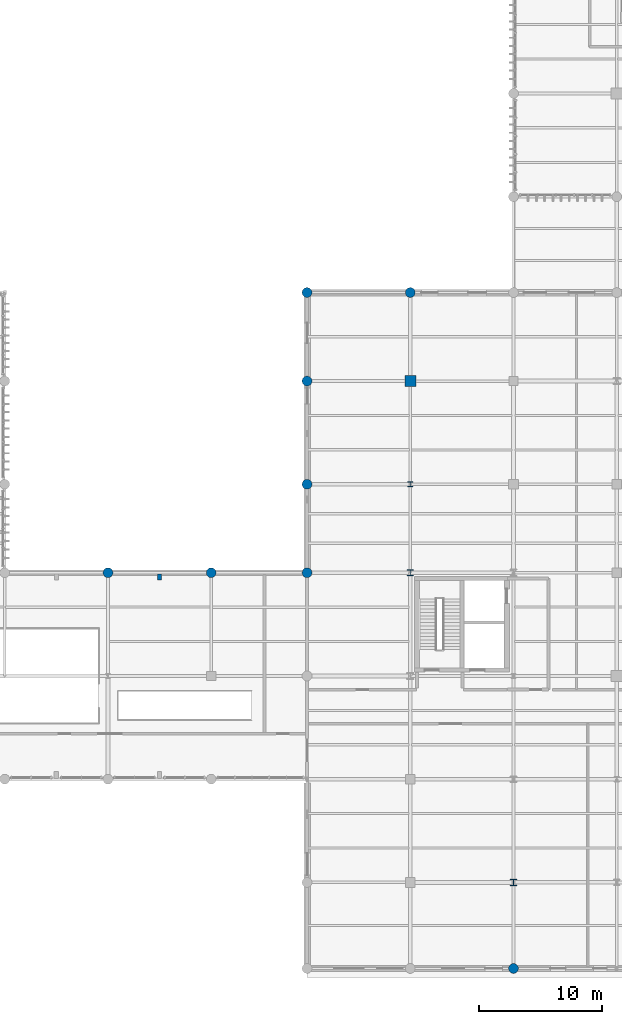
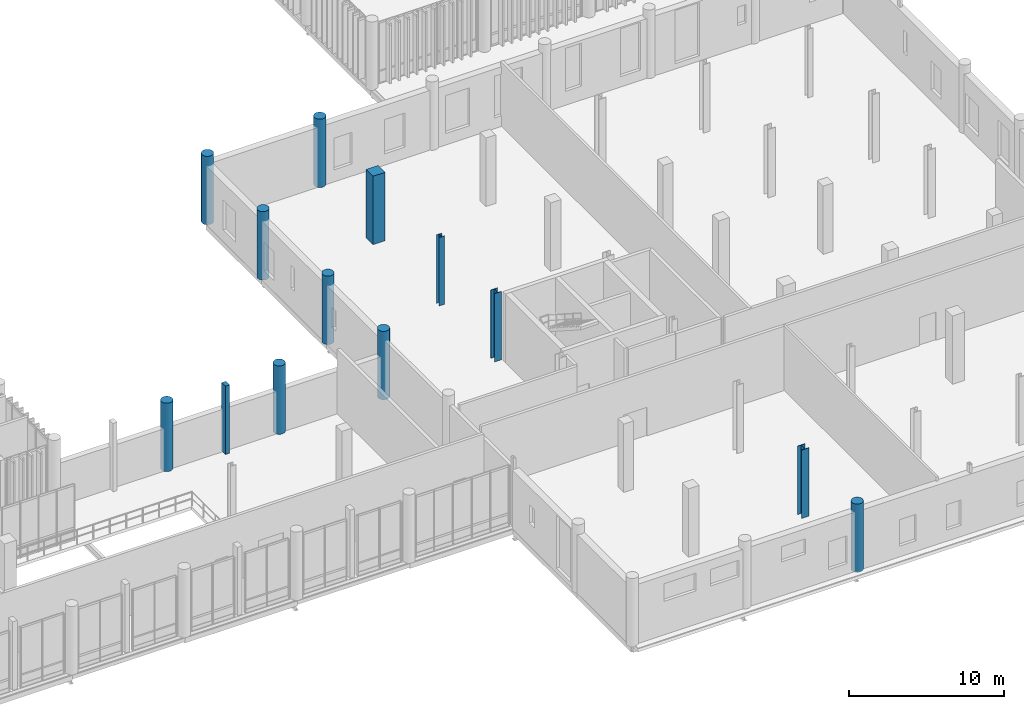
# One storey, part 9 of 128: 13 columns.
"""IFC4 building model written with IfcOpenShell, lengths in metres."""

from ifc_helpers import new_model, si_unit, direction, frame, origin_with_axes, origin_2d_with_axis, place, context, subcontext, project, spatial, rectangle, circle, i_section, extrude, material, material_profile, profile_set, type_object, element, save


model = new_model("IFC4")

# Units and contexts
model_context = context("Model", 3, precision=1e-05, world=origin_with_axes(), true_north=direction((0.0, 1.0)))
body_context = subcontext(model_context, "Body", "Model", "MODEL_VIEW")
ifc_project = project(units=[si_unit("LENGTHUNIT", "METRE"), si_unit("AREAUNIT", "SQUARE_METRE"), si_unit("VOLUMEUNIT", "CUBIC_METRE"), si_unit("PLANEANGLEUNIT", "RADIAN"), si_unit("MASSUNIT", "GRAM", prefix="KILO"), si_unit("THERMODYNAMICTEMPERATUREUNIT", "KELVIN")], contexts=[model_context])

# Site, building, storey
site_placement = place(None, origin_with_axes())
site = spatial("IfcSite", under=ifc_project, at=site_placement, CompositionType="ELEMENT")
building_placement = place(site_placement, origin_with_axes())
building = spatial("IfcBuilding", under=site, at=building_placement, Name="Montbau Bow Law Courts", CompositionType="ELEMENT")
storey_placement = place(building_placement, frame((0.0, 0.0, 5.4), z_axis=(0.0, 0.0, 1.0), x_axis=(1.0, 0.0, 0.0)))
storey = spatial("IfcBuildingStorey", under=building, at=storey_placement, Name="L01", CompositionType="ELEMENT", Elevation=5.4)

# Columns
ifc_material_1 = material(Name="Concrete CSA A23.1 f'c 40 MPa", Category="concrete")
ifc_material_profile_1 = material_profile(ifc_material_1, rectangle(XDim=0.32, YDim=0.48, at=origin_2d_with_axis()), Name="RC480X320", Category="Main", Priority=0)
ifc_profile_set_1 = profile_set([ifc_material_profile_1], Name="Concrete CSA A23.1 f'c 40 MPa")
column_type_1 = type_object("IfcColumnType", Name="C-PIL-02", PredefinedType="PILASTER", material=ifc_profile_set_1)
column_1_placement = place(None, frame((109.8, 38.65, 5.4), z_axis=(0.0, 0.0, 1.0), x_axis=(1.0, 0.0, 0.0)))
element("IfcColumn", 1, at=column_1_placement, inside=storey, type_object=column_type_1, Name="PL-L01-S16:pil2_0048", PredefinedType="PILASTER", context=body_context, shape_type="SweptSolid", body=[
    extrude(rectangle(XDim=0.32, YDim=0.48, at=origin_2d_with_axis()), origin_with_axes(), (0.0, 0.0, 1.0), 5.4),
])
ifc_material_2 = material(Name="Concrete CSA A23.1 f'c 45 MPa", Category="concrete")
ifc_material_profile_2 = material_profile(ifc_material_2, rectangle(XDim=0.9, YDim=0.9, at=origin_2d_with_axis()), Name="RC900X900", Category="Main", Priority=0)
ifc_profile_set_2 = profile_set([ifc_material_profile_2], Name="Concrete CSA A23.1 f'c 45 MPa")
column_type_2 = type_object("IfcColumnType", Name="C-RC-01", PredefinedType="COLUMN", material=ifc_profile_set_2)
column_2_placement = place(None, frame((130.2, 54.6, 5.4), z_axis=(0.0, 0.0, 1.0), x_axis=(1.0, 0.0, 0.0)))
element("IfcColumn", 2, at=column_2_placement, inside=storey, type_object=column_type_2, Name="C-L01-S0453:col2_0453", PredefinedType="COLUMN", context=body_context, shape_type="SweptSolid", body=[
    extrude(rectangle(XDim=0.9, YDim=0.9, at=origin_2d_with_axis()), origin_with_axes(), (0.0, 0.0, 1.0), 5.4),
])
ifc_material_profile_3 = material_profile(ifc_material_1, circle(Radius=0.4, at=origin_2d_with_axis()), Name="RC800D", Category="Main", Priority=0)
ifc_profile_set_3 = profile_set([ifc_material_profile_3], Name="Concrete CSA A23.1 f'c 40 MPa")
column_type_3 = type_object("IfcColumnType", Name="C-RC-07", PredefinedType="COLUMN", material=ifc_profile_set_3)
for number, where, z_axis, x_axis, name in (
    (3, (105.6, 39.0, 5.4), (0.0, 0.0, 1.0), (1.0, 0.0, 0.0), "C-L01-S0435:col2_0435"),
    (4, (114.0, 39.0, 5.4), (0.0, 0.0, 1.0), (1.0, 0.0, 0.0), "C-L01-S0438:col2_0438"),
    (5, (121.8, 39.0, 5.4), (0.0, 0.0, 1.0), (1.0, 0.0, 0.0), "C-L01-S0443:col2_0443"),
    (6, (121.8, 46.2, 5.4), (0.0, 0.0, 1.0), (1.0, 0.0, 0.0), "C-L01-S0444:col2_0444"),
    (7, (121.8, 54.6, 5.4), (0.0, 0.0, 1.0), (1.0, 0.0, 0.0), "C-L01-S0445:col2_0445"),
    (8, (121.8, 61.8, 5.4), (0.0, 0.0, 1.0), (1.0, 0.0, 0.0), "C-L01-S0446:col2_0446"),
    (9, (130.2, 61.8, 5.4), (0.0, 0.0, 1.0), (1.0, 0.0, 0.0), "C-L01-S0454:col2_0454"),
    (10, (138.6, 6.8, 5.4), (0.0, 0.0, 1.0), (1.0, 0.0, 0.0), "C-L01-S0455:col2_0455"),
):
    element("IfcColumn", number, at=place(None, frame(where, z_axis=z_axis, x_axis=x_axis)), inside=storey, type_object=column_type_3, Name=name, PredefinedType="COLUMN", context=body_context, shape_type="SweptSolid", body=[
        extrude(circle(Radius=0.4, at=origin_2d_with_axis()), origin_with_axes(), (0.0, 0.0, 1.0), 5.4),
    ])
ifc_material_3 = material(Name="Steel CSA G40.21 Grade 350W (350 MPa)", Category="steel")
ifc_material_profile_4 = material_profile(ifc_material_3, i_section(OverallWidth=0.55, OverallDepth=0.55, WebThickness=0.025, FlangeThickness=0.042, at=origin_2d_with_axis()), Name="WWF550X420", Category="Main", Priority=0)
ifc_profile_set_4 = profile_set([ifc_material_profile_4], Name="Steel CSA G40.21 Grade 350W (350 MPa)")
column_type_4 = type_object("IfcColumnType", Name="C-STL-01", PredefinedType="COLUMN", material=ifc_profile_set_4)
column_3_placement = place(None, frame((138.6, 13.8, 5.4), z_axis=(0.0, 0.0, 1.0), x_axis=(1.0, 0.0, 0.0)))
element("IfcColumn", 11, at=column_3_placement, inside=storey, type_object=column_type_4, Name="C-L01-S0456:col2_0456", PredefinedType="COLUMN", context=body_context, shape_type="SweptSolid", body=[
    extrude(i_section(OverallWidth=0.55, OverallDepth=0.55, WebThickness=0.025, FlangeThickness=0.042, at=origin_2d_with_axis()), origin_with_axes(), (0.0, 0.0, 1.0), 5.4),
])
ifc_material_profile_5 = material_profile(ifc_material_3, i_section(OverallWidth=0.5, OverallDepth=0.5, WebThickness=0.022, FlangeThickness=0.036, at=origin_2d_with_axis()), Name="WWF500X343", Category="Main", Priority=0)
ifc_profile_set_5 = profile_set([ifc_material_profile_5], Name="Steel CSA G40.21 Grade 350W (350 MPa)")
column_type_5 = type_object("IfcColumnType", Name="C-STL-02", PredefinedType="COLUMN", material=ifc_profile_set_5)
column_4_placement = place(None, frame((130.2, 39.0, 5.4), z_axis=(0.0, 0.0, 1.0), x_axis=(1.0, 0.0, 0.0)))
element("IfcColumn", 12, at=column_4_placement, inside=storey, type_object=column_type_5, Name="C-L01-S0451:col2_0451", PredefinedType="COLUMN", context=body_context, shape_type="SweptSolid", body=[
    extrude(i_section(OverallWidth=0.5, OverallDepth=0.5, WebThickness=0.022, FlangeThickness=0.036, at=origin_2d_with_axis()), origin_with_axes(), (0.0, 0.0, 1.0), 5.4),
])
ifc_material_profile_6 = material_profile(ifc_material_3, i_section(OverallWidth=0.395, OverallDepth=0.38, WebThickness=0.0189, FlangeThickness=0.0302, at=origin_2d_with_axis()), Name="W360X237", Category="Main", Priority=0)
ifc_profile_set_6 = profile_set([ifc_material_profile_6], Name="Steel CSA G40.21 Grade 350W (350 MPa)")
column_type_6 = type_object("IfcColumnType", Name="C-STL-03", PredefinedType="COLUMN", material=ifc_profile_set_6)
column_5_placement = place(None, frame((130.2, 46.2, 5.4), z_axis=(0.0, 0.0, 1.0), x_axis=(1.0, 0.0, 0.0)))
element("IfcColumn", 13, at=column_5_placement, inside=storey, type_object=column_type_6, Name="C-L01-S0452:col2_0452", PredefinedType="COLUMN", context=body_context, shape_type="SweptSolid", body=[
    extrude(i_section(OverallWidth=0.395, OverallDepth=0.38, WebThickness=0.0189, FlangeThickness=0.0302, at=origin_2d_with_axis()), origin_with_axes(), (0.0, 0.0, 1.0), 5.4),
])

save(model, "model.ifc")
